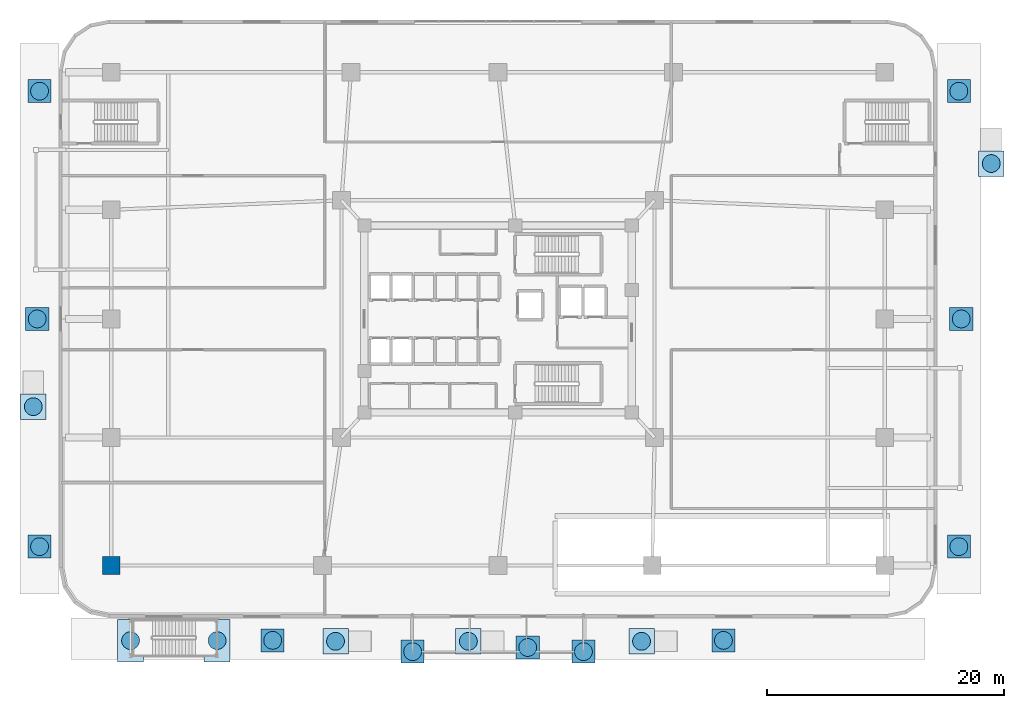
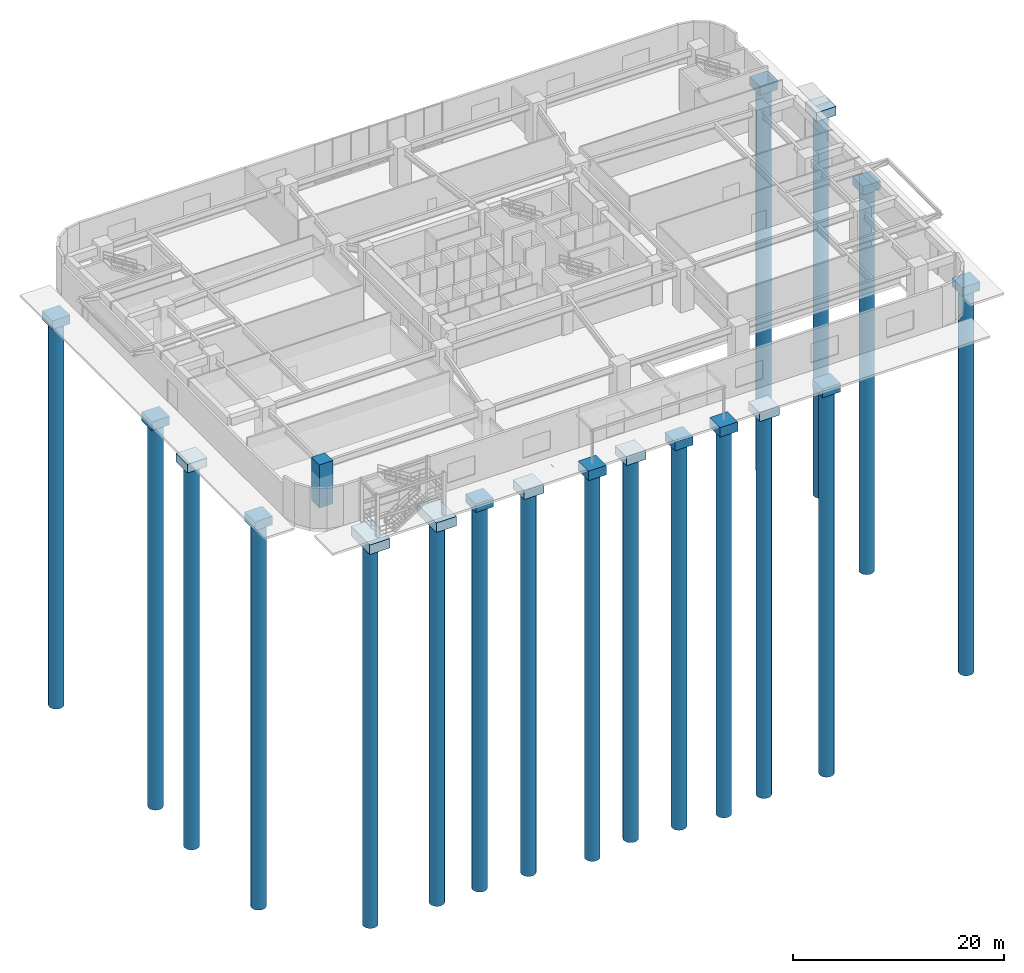
# One storey, part 1 of 18: 18 footings, 18 piles, 1 column.
"""IFC4 building model written with IfcOpenShell, lengths in metres."""

import ifcopenshell
import ifcopenshell.guid

model = None  # the IFC model being written
_history = None  # IfcOwnerHistory: only IFC2X3 demands one
_inside = {}  # id of a spatial element -> (the spatial element, [elements in it])
_under = {}  # id of a project, library or spatial element -> (it, [spatial elements below it])
_declared = {}  # id of a project -> (the project, [libraries it declares])
_typed = {}  # id of a type object -> (the type object, [elements of that type])
_made_of = {}  # id of a material, layer set ... -> (it, [elements and type objects made of it])


def new_model(schema):
    """Start an empty IFC model of exactly this schema.

    Asked for "IFC4X3", IfcOpenShell would pick the latest addendum, in which some entities
    have other attributes; the version numbers below select the first issue.
    IFC2X3 requires an IfcOwnerHistory on every rooted entity: one is made here for all.
    """
    global model, _history
    if schema == "IFC4X3":
        model = ifcopenshell.file(schema_version=(4, 3, 0, 0))
    else:
        model = ifcopenshell.file(schema=schema)
    _inside.clear()
    _under.clear()
    _declared.clear()
    _typed.clear()
    _made_of.clear()
    _history = None
    if model.schema == "IFC2X3":
        org = make("IfcOrganization", Name="unknown")
        user = make(
            "IfcPersonAndOrganization",
            ThePerson=make("IfcPerson", FamilyName="unknown"),
            TheOrganization=org,
        )
        app = make(
            "IfcApplication",
            ApplicationDeveloper=org,
            Version="unknown",
            ApplicationFullName="unknown",
            ApplicationIdentifier="unknown",
        )
        _history = make(
            "IfcOwnerHistory",
            OwningUser=user,
            OwningApplication=app,
            ChangeAction="ADDED",
            CreationDate=0,
        )
    return model


def make(cls, **values):
    """One entity of the class cls with the attributes given. An attribute that is None is left unset."""
    return model.create_entity(
        cls, **{name: value for name, value in values.items() if value is not None}
    )


def rooted(cls, **values):
    """An entity with a GlobalId (a new one), such as an element, a storey or a relation."""
    return make(cls, GlobalId=ifcopenshell.guid.new(), OwnerHistory=_history, **values)


def si_unit(unit_type, name, prefix=None):
    """IfcSIUnit, for example si_unit("LENGTHUNIT", "METRE", prefix="MILLI")."""
    return make("IfcSIUnit", UnitType=unit_type, Prefix=prefix, Name=name)


def assignment(units):
    """IfcUnitAssignment: the units of a project."""
    return None if units is None else make("IfcUnitAssignment", Units=units)


def point(xyz):
    """IfcCartesianPoint."""
    return None if xyz is None else make("IfcCartesianPoint", Coordinates=xyz)


def direction(xyz):
    """IfcDirection."""
    return None if xyz is None else make("IfcDirection", DirectionRatios=xyz)


def frame(location, z_axis=None, x_axis=None):
    """IfcAxis2Placement3D, a coordinate frame: its origin and axes. An axis left out is left unset."""
    return make(
        "IfcAxis2Placement3D",
        Location=point(location),
        Axis=direction(z_axis),
        RefDirection=direction(x_axis),
    )


def frame_2d(location, x_axis=None):
    """IfcAxis2Placement2D, a coordinate frame in the plane: its origin and x axis."""
    return make(
        "IfcAxis2Placement2D", Location=point(location), RefDirection=direction(x_axis)
    )


def origin():
    """The frame at (0, 0, 0) with its axes left unset."""
    return frame((0.0, 0.0, 0.0))


def origin_2d():
    """The frame at (0, 0) in the plane with its x axis left unset."""
    return frame_2d((0.0, 0.0))


def place(relative_to, where):
    """IfcLocalPlacement: puts the frame where relative to a parent placement (None: the world)."""
    return make(
        "IfcLocalPlacement", PlacementRelTo=relative_to, RelativePlacement=where
    )


def context(
    kind, dimensions, precision=None, world=None, true_north=None, identifier=None
):
    """IfcGeometricRepresentationContext, for example the 3D "Model" context."""
    return make(
        "IfcGeometricRepresentationContext",
        ContextIdentifier=identifier,
        ContextType=kind,
        CoordinateSpaceDimension=dimensions,
        Precision=precision,
        WorldCoordinateSystem=world,
        TrueNorth=true_north,
    )


def subcontext(parent, identifier, kind, view, scale=None):
    """IfcGeometricRepresentationSubContext, for example "Body" below "Model"."""
    return make(
        "IfcGeometricRepresentationSubContext",
        ContextIdentifier=identifier,
        ContextType=kind,
        ParentContext=parent,
        TargetScale=scale,
        TargetView=view,
    )


def project(units=None, contexts=None):
    """IfcProject with its units and contexts."""
    return rooted(
        "IfcProject",
        Name="project",
        RepresentationContexts=contexts,
        UnitsInContext=assignment(units),
    )


def spatial(cls, under=None, at=None, **own):
    """A site, building, storey or space (cls), placed at a placement, below another one or the project."""
    s = rooted(cls, ObjectPlacement=at, **own)
    if under is not None:
        _under.setdefault(under.id(), (under, []))[1].append(s)
    return s


def polyline(points):
    """IfcPolyline through the points."""
    return make("IfcPolyline", Points=[point(p) for p in points])


def profile(cls, at=None, kind="AREA", **sizes):
    """A parametric profile (cls). Its sizes go by their IFC names, for example OverallWidth=200.0."""
    return make(cls, ProfileType=kind, Position=at, **sizes)


def rectangle(**sizes):
    """IfcRectangleProfileDef."""
    return profile("IfcRectangleProfileDef", **sizes)


def circle(**sizes):
    """IfcCircleProfileDef."""
    return profile("IfcCircleProfileDef", **sizes)


def outline(outer, holes=None, kind="AREA"):
    """IfcArbitraryClosedProfileDef: a profile drawn as a closed curve; with holes, ...WithVoids."""
    if holes is None:
        return make("IfcArbitraryClosedProfileDef", ProfileType=kind, OuterCurve=outer)
    return make(
        "IfcArbitraryProfileDefWithVoids",
        ProfileType=kind,
        OuterCurve=outer,
        InnerCurves=holes,
    )


def extrude(swept, where, along, depth):
    """IfcExtrudedAreaSolid: the profile swept, set in the frame where, extruded along a direction by depth."""
    return make(
        "IfcExtrudedAreaSolid",
        SweptArea=swept,
        Position=where,
        ExtrudedDirection=direction(along),
        Depth=depth,
    )


def shape(context_of_items, identifier, shape_type, items):
    """IfcShapeRepresentation: the items that make up one representation, for example the "Body"."""
    return make(
        "IfcShapeRepresentation",
        ContextOfItems=context_of_items,
        RepresentationIdentifier=identifier,
        RepresentationType=shape_type,
        Items=items,
    )


def material(Name=None, Category=None):
    """IfcMaterial."""
    return make("IfcMaterial", Name=Name, Category=Category)


def layer(
    of_material, thickness, ventilated=None, Name=None, Category=None, Priority=None
):
    """IfcMaterialLayer: one layer of a wall or slab, of a material (None: an air gap)."""
    return make(
        "IfcMaterialLayer",
        Material=of_material,
        LayerThickness=thickness,
        IsVentilated=ventilated,
        Name=Name,
        Category=Category,
        Priority=Priority,
    )


def layer_set(layers, Name=None):
    """IfcMaterialLayerSet."""
    return make("IfcMaterialLayerSet", MaterialLayers=layers, LayerSetName=Name)


def material_profile(
    of_material, cross_section, Name=None, Category=None, Priority=None
):
    """IfcMaterialProfile: a cross section and its material."""
    return make(
        "IfcMaterialProfile",
        Name=Name,
        Material=of_material,
        Profile=cross_section,
        Priority=Priority,
        Category=Category,
    )


def profile_set(profiles, Name=None, composite=None):
    """IfcMaterialProfileSet."""
    return make(
        "IfcMaterialProfileSet",
        Name=Name,
        MaterialProfiles=profiles,
        CompositeProfile=composite,
    )


def made_of(thing, what):
    """Note that an element or type object is made of a material, layer set ...; save() writes the relation."""
    if what is not None:
        _made_of.setdefault(what.id(), (what, []))[1].append(thing)
    return thing


def type_object(cls, material=None, **own):
    """A type object (cls), such as IfcWallType, which elements share."""
    return made_of(rooted(cls, **own), material)


def element(
    cls,
    number,
    at=None,
    inside=None,
    cuts=None,
    type_object=None,
    material=None,
    context=None,
    identifier="Body",
    shape_type=None,
    held_by="IfcProductDefinitionShape",
    body=None,
    shapes=None,
    **own,
):
    """One element of the class cls, such as IfcWall. Its Tag is "e" and its number.

    at: its placement. inside: the storey or other place that contains it. cuts: it is an
    opening in that element (IfcRelVoidsElement). A single representation is given by context,
    identifier, shape_type and body (its items); several are given by shapes. held_by: the class
    of the entity that holds the representations. save() writes the other relations.
    """
    e = rooted(cls, Tag="e%d" % number, ObjectPlacement=at, **own)
    if body is not None:
        shapes = [shape(context, identifier, shape_type, body)]
    if shapes is not None:
        e.Representation = make(held_by, Representations=shapes)
    if inside is not None:
        _inside.setdefault(inside.id(), (inside, []))[1].append(e)
    if cuts is not None:
        rooted(
            "IfcRelVoidsElement", RelatingBuildingElement=cuts, RelatedOpeningElement=e
        )
    if type_object is not None:
        _typed.setdefault(type_object.id(), (type_object, []))[1].append(e)
    return made_of(e, material)


def aggregate(whole, parts):
    """IfcRelAggregates: a whole, such as a stair, and the parts it consists of."""
    return rooted("IfcRelAggregates", RelatingObject=whole, RelatedObjects=parts)


def save(model, path):
    """Write the relations noted so far, then the file.

    IfcRelAggregates (storeys below a building ...), IfcRelContainedInSpatialStructure (elements
    in a storey), IfcRelDefinesByType, IfcRelAssociatesMaterial and IfcRelDeclares: one each for
    every whole, place, type object, material and project.
    """
    for whole, parts in _under.values():
        aggregate(whole, parts)
    for where, things in _inside.values():
        rooted(
            "IfcRelContainedInSpatialStructure",
            RelatedElements=things,
            RelatingStructure=where,
        )
    for kind, things in _typed.values():
        rooted("IfcRelDefinesByType", RelatedObjects=things, RelatingType=kind)
    for what, things in _made_of.values():
        rooted("IfcRelAssociatesMaterial", RelatedObjects=things, RelatingMaterial=what)
    for by, libraries in _declared.values():
        rooted("IfcRelDeclares", RelatingContext=by, RelatedDefinitions=libraries)
    model.write(path)


model = new_model("IFC4")

# Units and contexts
model_context = context("Model", 3, precision=1e-05, world=origin(), true_north=direction((0.0, 1.0)))
body_context = subcontext(model_context, "Body", "Model", "MODEL_VIEW")
ifc_project = project(units=[si_unit("LENGTHUNIT", "METRE"), si_unit("AREAUNIT", "SQUARE_METRE"), si_unit("VOLUMEUNIT", "CUBIC_METRE"), si_unit("PLANEANGLEUNIT", "RADIAN"), si_unit("MASSUNIT", "GRAM", prefix="KILO")], contexts=[model_context])

# Site, building, storey
site_placement = place(None, origin())
site = spatial("IfcSite", under=ifc_project, at=site_placement, CompositionType="ELEMENT")
building_placement = place(site_placement, origin())
building = spatial("IfcBuilding", under=site, at=building_placement, Name="Zulverin Broadcast Headquarters", CompositionType="ELEMENT")
storey_placement = place(building_placement, origin())
storey = spatial("IfcBuildingStorey", under=building, at=storey_placement, Name="L00", CompositionType="ELEMENT", Elevation=0.0)

# Footings
ifc_material_1 = material(Name="Concrete C50/60", Category="concrete")
ifc_layer_1 = layer(ifc_material_1, 1.10009765625, Name="Concrete C50/60", Category="concrete")
ifc_layer_set_1 = layer_set([ifc_layer_1], Name="Concrete C50/60")
footing_type_1 = type_object("IfcFootingType", Name="FTG-PAD-02A", PredefinedType="PAD_FOOTING", material=ifc_layer_set_1)
footing_1_placement = place(storey_placement, frame((0.0, 0.0, -1.35009765625)))
element("IfcFooting", 1, at=footing_1_placement, inside=storey, type_object=footing_type_1, Name="Exterior Garden Stair Piled Cap G1", PredefinedType="PAD_FOOTING", context=body_context, shape_type="SweptSolid", body=[
    extrude(outline(polyline([(4.919921875, -3.719970703125), (7.1201171875, -3.719970703125), (7.1201171875, -0.1201171875), (4.919921875, -0.1201171875), (4.919921875, -3.719970703125)])), origin(), (0.0, 0.0, 1.0), 1.10009765625),
])
footing_2_placement = place(storey_placement, frame((0.0, 0.0, -1.35009765625)))
element("IfcFooting", 2, at=footing_2_placement, inside=storey, type_object=footing_type_1, Name="Exterior Garden Stair Piled Cap G2", PredefinedType="PAD_FOOTING", context=body_context, shape_type="SweptSolid", body=[
    extrude(outline(polyline([(12.219970703125, -3.719970703125), (14.419921875, -3.719970703125), (14.419921875, -0.1201171875), (12.219970703125, -0.1201171875), (12.219970703125, -3.719970703125)])), origin(), (0.0, 0.0, 1.0), 1.10009765625),
])
ifc_layer_2 = layer(ifc_material_1, 1.10009765625, Name="Concrete C50/60", Category="concrete")
ifc_layer_set_2 = layer_set([ifc_layer_2], Name="Concrete C50/60")
footing_type_2 = type_object("IfcFootingType", Name="FTG-PAD-02B", PredefinedType="PAD_FOOTING", material=ifc_layer_set_2)
footing_3_placement = place(storey_placement, frame((0.0, 0.0, -1.10009765625)))
element("IfcFooting", 3, at=footing_3_placement, inside=storey, type_object=footing_type_2, Name="L00 South Entrance Canopy Post Piled Cap 1", PredefinedType="PAD_FOOTING", context=body_context, shape_type="SweptSolid", body=[
    extrude(outline(polyline([(28.824951171875, -3.824951171875), (30.77490234375, -3.824951171875), (30.77490234375, -1.875), (28.824951171875, -1.875), (28.824951171875, -3.824951171875)])), origin(), (0.0, 0.0, 1.0), 1.10009765625),
])
footing_4_placement = place(storey_placement, frame((0.0, 0.0, -1.10009765625)))
element("IfcFooting", 4, at=footing_4_placement, inside=storey, type_object=footing_type_2, Name="L00 South Entrance Canopy Post Piled Cap 2", PredefinedType="PAD_FOOTING", context=body_context, shape_type="SweptSolid", body=[
    extrude(outline(polyline([(43.22509765625, -3.824951171875), (45.175048828125, -3.824951171875), (45.175048828125, -1.875), (43.22509765625, -1.875), (43.22509765625, -3.824951171875)])), origin(), (0.0, 0.0, 1.0), 1.10009765625),
])
ifc_layer_3 = layer(ifc_material_1, 1.0, Name="Concrete C50/60", Category="concrete")
ifc_layer_set_3 = layer_set([ifc_layer_3], Name="Concrete C50/60")
footing_type_3 = type_object("IfcFootingType", Name="FTG-PAD-02C", PredefinedType="PAD_FOOTING", material=ifc_layer_set_3)
footing_5_placement = place(storey_placement, frame((0.0, 0.0, -1.25)))
element("IfcFooting", 5, at=footing_5_placement, inside=storey, type_object=footing_type_3, Name="South Entrance Forecourt Plaza Slab Piled Grade Cap 1", PredefinedType="PAD_FOOTING", context=body_context, shape_type="SweptSolid", body=[
    extrude(outline(polyline([(17.02490234375, -2.875), (18.97509765625, -2.875), (18.97509765625, -0.925048828125), (17.02490234375, -0.925048828125), (17.02490234375, -2.875)])), origin(), (0.0, 0.0, 1.0), 1.0),
])
footing_6_placement = place(storey_placement, frame((0.0, 0.0, -1.25)))
element("IfcFooting", 6, at=footing_6_placement, inside=storey, type_object=footing_type_3, Name="South Entrance Forecourt Plaza Slab Piled Grade Cap 2", PredefinedType="PAD_FOOTING", context=body_context, shape_type="SweptSolid", body=[
    extrude(outline(polyline([(38.52490234375, -3.47509765625), (40.47509765625, -3.47509765625), (40.47509765625, -1.52490234375), (38.52490234375, -1.52490234375), (38.52490234375, -3.47509765625)])), origin(), (0.0, 0.0, 1.0), 1.0),
])
footing_7_placement = place(storey_placement, frame((0.0, 0.0, -1.25)))
element("IfcFooting", 7, at=footing_7_placement, inside=storey, type_object=footing_type_3, Name="South Entrance Forecourt Plaza Slab Piled Grade Cap 3", PredefinedType="PAD_FOOTING", context=body_context, shape_type="SweptSolid", body=[
    extrude(outline(polyline([(55.02490234375, -2.875), (56.97509765625, -2.875), (56.97509765625, -0.925048828125), (55.02490234375, -0.925048828125), (55.02490234375, -2.875)])), origin(), (0.0, 0.0, 1.0), 1.0),
])
footing_8_placement = place(storey_placement, frame((0.0, 0.0, -1.25)))
element("IfcFooting", 8, at=footing_8_placement, inside=storey, type_object=footing_type_3, Name="East Vehicle Ramp Driveway & Loading Apron Slab Piled Grade Cap 1", PredefinedType="PAD_FOOTING", context=body_context, shape_type="SweptSolid", body=[
    extrude(outline(polyline([(74.875, 5.02490234375), (76.824951171875, 5.02490234375), (76.824951171875, 6.97509765625), (74.875, 6.97509765625), (74.875, 5.02490234375)])), origin(), (0.0, 0.0, 1.0), 1.0),
])
footing_9_placement = place(storey_placement, frame((0.0, 0.0, -1.25)))
element("IfcFooting", 9, at=footing_9_placement, inside=storey, type_object=footing_type_3, Name="East Vehicle Ramp Driveway & Loading Apron Slab Piled Grade Cap 2", PredefinedType="PAD_FOOTING", context=body_context, shape_type="SweptSolid", body=[
    extrude(outline(polyline([(75.074951171875, 24.22509765625), (77.02490234375, 24.22509765625), (77.02490234375, 26.175048828125), (75.074951171875, 26.175048828125), (75.074951171875, 24.22509765625)])), origin(), (0.0, 0.0, 1.0), 1.0),
])
footing_10_placement = place(storey_placement, frame((0.0, 0.0, -1.25)))
element("IfcFooting", 10, at=footing_10_placement, inside=storey, type_object=footing_type_3, Name="East Vehicle Ramp Driveway & Loading Apron Slab Piled Grade Cap 3", PredefinedType="PAD_FOOTING", context=body_context, shape_type="SweptSolid", body=[
    extrude(outline(polyline([(74.875, 43.425048828125), (76.824951171875, 43.425048828125), (76.824951171875, 45.375), (74.875, 45.375), (74.875, 43.425048828125)])), origin(), (0.0, 0.0, 1.0), 1.0),
])
footing_11_placement = place(storey_placement, frame((0.0, 0.0, -1.25)))
element("IfcFooting", 11, at=footing_11_placement, inside=storey, type_object=footing_type_3, Name="West Forecourt Plaza Slab Piled Grade Cap 1", PredefinedType="PAD_FOOTING", context=body_context, shape_type="SweptSolid", body=[
    extrude(outline(polyline([(-2.625, 5.02490234375), (-0.675048828125, 5.02490234375), (-0.675048828125, 6.97509765625), (-2.625, 6.97509765625), (-2.625, 5.02490234375)])), origin(), (0.0, 0.0, 1.0), 1.0),
])
footing_12_placement = place(storey_placement, frame((0.0, 0.0, -1.25)))
element("IfcFooting", 12, at=footing_12_placement, inside=storey, type_object=footing_type_3, Name="West Forecourt Plaza Slab Piled Grade Cap 2", PredefinedType="PAD_FOOTING", context=body_context, shape_type="SweptSolid", body=[
    extrude(outline(polyline([(-2.824951171875, 24.22509765625), (-0.875, 24.22509765625), (-0.875, 26.175048828125), (-2.824951171875, 26.175048828125), (-2.824951171875, 24.22509765625)])), origin(), (0.0, 0.0, 1.0), 1.0),
])
footing_13_placement = place(storey_placement, frame((0.0, 0.0, -1.25)))
element("IfcFooting", 13, at=footing_13_placement, inside=storey, type_object=footing_type_3, Name="West Forecourt Plaza Slab Piled Grade Cap 3", PredefinedType="PAD_FOOTING", context=body_context, shape_type="SweptSolid", body=[
    extrude(outline(polyline([(-2.625, 43.425048828125), (-0.675048828125, 43.425048828125), (-0.675048828125, 45.375), (-2.625, 45.375), (-2.625, 43.425048828125)])), origin(), (0.0, 0.0, 1.0), 1.0),
])
ifc_layer_4 = layer(ifc_material_1, 1.010009765625, Name="Concrete C50/60", Category="concrete")
ifc_layer_set_4 = layer_set([ifc_layer_4], Name="Concrete C50/60")
footing_type_4 = type_object("IfcFootingType", Name="FTG-PAD-02D", PredefinedType="PAD_FOOTING", material=ifc_layer_set_4)
footing_14_placement = place(storey_placement, frame((0.0, 0.0, -1.449951171875)))
element("IfcFooting", 14, at=footing_14_placement, inside=storey, type_object=footing_type_4, Name="South West Entrance Accessible Ramp AR-1 Piled Base Cap", PredefinedType="PAD_FOOTING", context=body_context, shape_type="SweptSolid", body=[
    extrude(outline(polyline([(22.22509765625, -3.054931640625), (24.375, -3.054931640625), (24.375, -0.905029296875), (22.22509765625, -0.905029296875), (22.22509765625, -3.054931640625)])), origin(), (0.0, 0.0, 1.0), 1.010009765625),
])
footing_15_placement = place(storey_placement, frame((0.0, 0.0, -1.449951171875)))
element("IfcFooting", 15, at=footing_15_placement, inside=storey, type_object=footing_type_4, Name="South Central Entrance Accessible Ramp AR-2 Piled Base Cap", PredefinedType="PAD_FOOTING", context=body_context, shape_type="SweptSolid", body=[
    extrude(outline(polyline([(33.425048828125, -3.054931640625), (35.574951171875, -3.054931640625), (35.574951171875, -0.905029296875), (33.425048828125, -0.905029296875), (33.425048828125, -3.054931640625)])), origin(), (0.0, 0.0, 1.0), 1.010009765625),
])
footing_16_placement = place(storey_placement, frame((0.0, 0.0, -1.449951171875)))
element("IfcFooting", 16, at=footing_16_placement, inside=storey, type_object=footing_type_4, Name="South East Entrance Accessible Ramp AR-3 Piled Base Cap", PredefinedType="PAD_FOOTING", context=body_context, shape_type="SweptSolid", body=[
    extrude(outline(polyline([(48.02490234375, -3.054931640625), (50.175048828125, -3.054931640625), (50.175048828125, -0.905029296875), (48.02490234375, -0.905029296875), (48.02490234375, -3.054931640625)])), origin(), (0.0, 0.0, 1.0), 1.010009765625),
])
footing_17_placement = place(storey_placement, frame((0.0, 0.0, -1.449951171875)))
element("IfcFooting", 17, at=footing_17_placement, inside=storey, type_object=footing_type_4, Name="West Forecourt Accessible Ramp AR-4 Piled Base Cap", PredefinedType="PAD_FOOTING", context=body_context, shape_type="SweptSolid", body=[
    extrude(outline(polyline([(-3.2548828125, 16.72509765625), (-1.10498046875, 16.72509765625), (-1.10498046875, 18.875), (-3.2548828125, 18.875), (-3.2548828125, 16.72509765625)])), origin(), (0.0, 0.0, 1.0), 1.010009765625),
])
footing_18_placement = place(storey_placement, frame((0.0, 0.0, -1.449951171875)))
element("IfcFooting", 18, at=footing_18_placement, inside=storey, type_object=footing_type_4, Name="East Forecourt Accessible Ramp AR-5 Piled Base Cap", PredefinedType="PAD_FOOTING", context=body_context, shape_type="SweptSolid", body=[
    extrude(outline(polyline([(77.5048828125, 37.22509765625), (79.655029296875, 37.22509765625), (79.655029296875, 39.375), (77.5048828125, 39.375), (77.5048828125, 37.22509765625)])), origin(), (0.0, 0.0, 1.0), 1.010009765625),
])

# Piles
ifc_material_profile_1 = material_profile(ifc_material_1, circle(Radius=0.75, at=origin_2d()), Name="Concrete C50/60", Category="concrete")
ifc_profile_set_1 = profile_set([ifc_material_profile_1], Name="Concrete C50/60")
pile_type = type_object("IfcPileType", Name="PILE-D1500-C50", PredefinedType="SUPPORT", material=ifc_profile_set_1)
for number, where, z_axis, x_axis, name in (
    (19, (6.02001953125, -1.919921875, -1.25), (0.0, 0.0, -1.0), (1.0, 0.0, 0.0), "Exterior Garden Stair Piled Cap G1 Bored Pile GP-01"),
    (20, (13.320068359375, -1.919921875, -1.25), (0.0, 0.0, -1.0), (1.0, 0.0, 0.0), "Exterior Garden Stair Piled Cap G2 Bored Pile GP-02"),
):
    element("IfcPile", number, at=place(storey_placement, frame(where, z_axis=z_axis, x_axis=x_axis)), inside=storey, type_object=pile_type, Name=name, PredefinedType="SUPPORT", context=body_context, shape_type="SweptSolid", body=[
        extrude(circle(Radius=0.75, at=origin_2d()), origin(), (0.0, 0.0, 1.0), 44.35009765625),
    ])
for number, where, z_axis, x_axis, name in (
    (21, (29.800048828125, -2.85009765625, -1.0), (0.0, 0.0, -1.0), (1.0, 0.0, 0.0), "L00 South Entrance Canopy Post Piled Cap 1 Bored Pile GP-11"),
    (22, (44.199951171875, -2.85009765625, -1.0), (0.0, 0.0, -1.0), (1.0, 0.0, 0.0), "L00 South Entrance Canopy Post Piled Cap 2 Bored Pile GP-12"),
):
    element("IfcPile", number, at=place(storey_placement, frame(where, z_axis=z_axis, x_axis=x_axis)), inside=storey, type_object=pile_type, Name=name, PredefinedType="SUPPORT", context=body_context, shape_type="SweptSolid", body=[
        extrude(circle(Radius=0.75, at=origin_2d()), origin(), (0.0, 0.0, 1.0), 44.60009765625),
    ])
for number, where, z_axis, x_axis, name in (
    (23, (18.0, -1.89990234375, -1.14990234375), (0.0, 0.0, -1.0), (1.0, 0.0, 0.0), "South Entrance Forecourt Plaza Slab Piled Grade Cap 1 Bored Pile GP-13"),
    (24, (39.5, -2.5, -1.14990234375), (0.0, 0.0, -1.0), (1.0, 0.0, 0.0), "South Entrance Forecourt Plaza Slab Piled Grade Cap 2 Bored Pile GP-14"),
    (25, (56.0, -1.89990234375, -1.14990234375), (0.0, 0.0, -1.0), (1.0, 0.0, 0.0), "South Entrance Forecourt Plaza Slab Piled Grade Cap 3 Bored Pile GP-15"),
    (26, (75.85009765625, 6.0, -1.14990234375), (0.0, 0.0, -1.0), (1.0, 0.0, 0.0), "East Vehicle Ramp Driveway & Loading Apron Slab Piled Grade Cap 1 Bored Pile GP-16"),
    (27, (76.050048828125, 25.199951171875, -1.14990234375), (0.0, 0.0, -1.0), (1.0, 0.0, 0.0), "East Vehicle Ramp Driveway & Loading Apron Slab Piled Grade Cap 2 Bored Pile GP-17"),
    (28, (75.85009765625, 44.39990234375, -1.14990234375), (0.0, 0.0, -1.0), (1.0, 0.0, 0.0), "East Vehicle Ramp Driveway & Loading Apron Slab Piled Grade Cap 3 Bored Pile GP-18"),
    (29, (-1.64990234375, 6.0, -1.14990234375), (0.0, 0.0, -1.0), (1.0, 0.0, 0.0), "West Forecourt Plaza Slab Piled Grade Cap 1 Bored Pile GP-19"),
    (30, (-1.85009765625, 25.199951171875, -1.14990234375), (0.0, 0.0, -1.0), (1.0, 0.0, 0.0), "West Forecourt Plaza Slab Piled Grade Cap 2 Bored Pile GP-20"),
    (31, (-1.64990234375, 44.39990234375, -1.14990234375), (0.0, 0.0, -1.0), (1.0, 0.0, 0.0), "West Forecourt Plaza Slab Piled Grade Cap 3 Bored Pile GP-21"),
):
    element("IfcPile", number, at=place(storey_placement, frame(where, z_axis=z_axis, x_axis=x_axis)), inside=storey, type_object=pile_type, Name=name, PredefinedType="SUPPORT", context=body_context, shape_type="SweptSolid", body=[
        extrude(circle(Radius=0.75, at=origin_2d()), origin(), (0.0, 0.0, 1.0), 44.449951171875),
    ])
for number, where, z_axis, x_axis, name in (
    (32, (23.300048828125, -1.97998046875, -1.35009765625), (0.0, 0.0, -1.0), (1.0, 0.0, 0.0), "South West Entrance Accessible Ramp AR-1 Piled Base Cap Bored Pile GP-22"),
    (33, (34.5, -1.97998046875, -1.35009765625), (0.0, 0.0, -1.0), (1.0, 0.0, 0.0), "South Central Entrance Accessible Ramp AR-2 Piled Base Cap Bored Pile GP-23"),
    (34, (49.10009765625, -1.97998046875, -1.35009765625), (0.0, 0.0, -1.0), (1.0, 0.0, 0.0), "South East Entrance Accessible Ramp AR-3 Piled Base Cap Bored Pile GP-24"),
    (35, (-2.179931640625, 17.800048828125, -1.35009765625), (0.0, 0.0, -1.0), (1.0, 0.0, 0.0), "West Forecourt Accessible Ramp AR-4 Piled Base Cap Bored Pile GP-25"),
    (36, (78.580078125, 38.300048828125, -1.35009765625), (0.0, 0.0, -1.0), (1.0, 0.0, 0.0), "East Forecourt Accessible Ramp AR-5 Piled Base Cap Bored Pile GP-26"),
):
    element("IfcPile", number, at=place(storey_placement, frame(where, z_axis=z_axis, x_axis=x_axis)), inside=storey, type_object=pile_type, Name=name, PredefinedType="SUPPORT", context=body_context, shape_type="SweptSolid", body=[
        extrude(circle(Radius=0.75, at=origin_2d()), origin(), (0.0, 0.0, 1.0), 44.25),
    ])

# Column
ifc_material_2 = material(Name="Concrete C60/75", Category="concrete")
ifc_material_profile_2 = material_profile(ifc_material_2, rectangle(XDim=1.5, YDim=1.5, at=origin_2d()), Name="Concrete C60/75", Category="concrete")
ifc_profile_set_2 = profile_set([ifc_material_profile_2], Name="Concrete C60/75")
column_type = type_object("IfcColumnType", Name="COL-RC-1500", PredefinedType="COLUMN", material=ifc_profile_set_2)
column_placement = place(storey_placement, frame((4.39990234375, 4.39990234375, 0.0), z_axis=(0.0, 0.0, 1.0), x_axis=(1.0, 0.0, 0.0)))
element("IfcColumn", 37, at=column_placement, inside=storey, type_object=column_type, Name="L00 Podium Mega Column P01", PredefinedType="COLUMN", context=body_context, shape_type="SweptSolid", body=[
    extrude(rectangle(XDim=1.5, YDim=1.5, at=origin_2d()), origin(), (0.0, 0.0, 1.0), 5.0),
])

save(model, "model.ifc")
